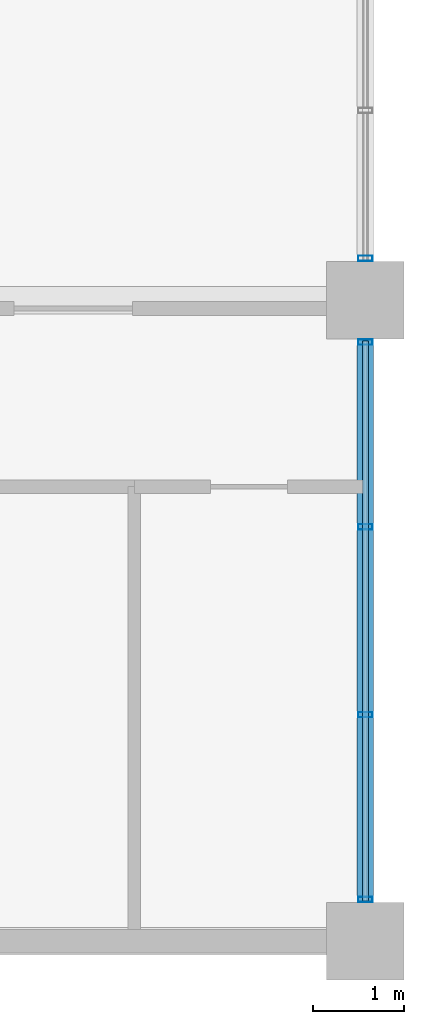
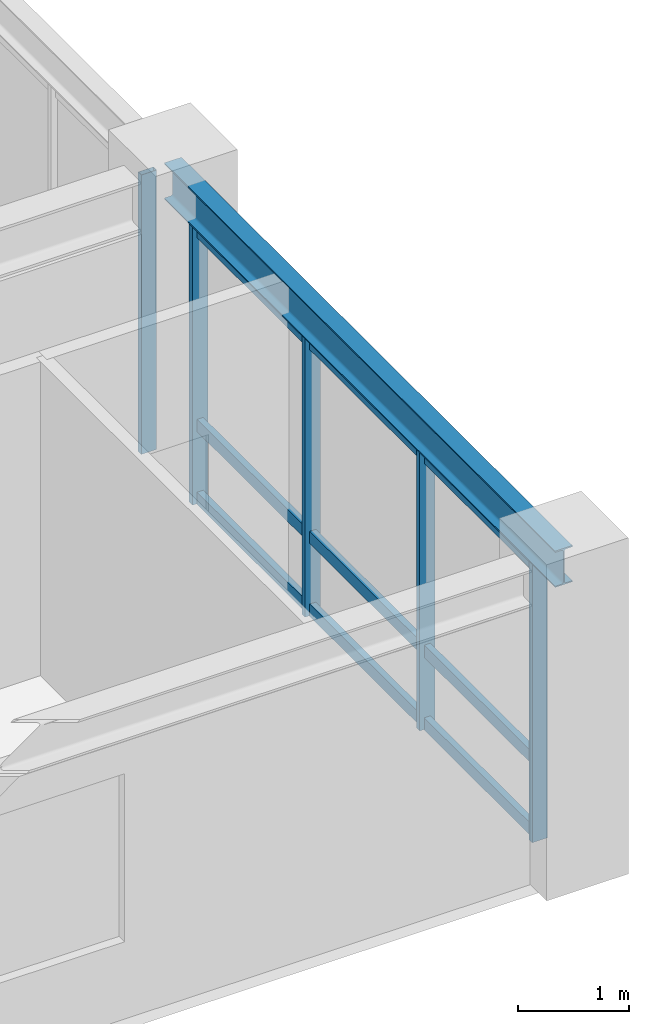
# One storey, part 2 of 10: 8 members, 1 beam, 2 elements without a shape of their own.
"""IFC4 building model written with IfcOpenShell, lengths in metres."""

from ifc_helpers import new_model, si_unit, direction, frame, origin, origin_2d, place, context, subcontext, project, spatial, hollow_rectangle, i_section, extrude, source, transform, mapped, material, layer, layer_set, material_profile, profile_set, type_object, element, aggregate, save


model = new_model("IFC4")

# Units and contexts
model_context = context("Model", 3, precision=1e-05, world=origin(), true_north=direction((0.0, 1.0)))
body_context = subcontext(model_context, "Body", "Model", "MODEL_VIEW")
ifc_project = project(units=[si_unit("LENGTHUNIT", "METRE"), si_unit("AREAUNIT", "SQUARE_METRE"), si_unit("VOLUMEUNIT", "CUBIC_METRE"), si_unit("PLANEANGLEUNIT", "RADIAN"), si_unit("MASSUNIT", "GRAM", prefix="KILO")], contexts=[model_context])

# Site, building, storey
site_placement = place(None, origin())
site = spatial("IfcSite", under=ifc_project, at=site_placement, CompositionType="ELEMENT")
building_placement = place(site_placement, origin())
building = spatial("IfcBuilding", under=site, at=building_placement, Name="Kaliganga Portal Commons", CompositionType="ELEMENT")
storey_placement = place(building_placement, frame((0.0, 0.0, 283.199951171875)))
storey = spatial("IfcBuildingStorey", under=building, at=storey_placement, Name="L73", CompositionType="ELEMENT", Elevation=283.199951171875)

# Beam
ifc_material_1 = material(Name="Structural steel S355J2", Category="steel")
ifc_material_profile_1 = material_profile(ifc_material_1, i_section(OverallWidth=0.179931640625, OverallDepth=0.39990234375, WebThickness=0.008544921875, FlangeThickness=0.013427734375, FilletRadius=0.02099609375, at=origin_2d()), Name="IPE 400")
ifc_profile_set_1 = profile_set([ifc_material_profile_1], Name="Structural steel S355J2 wide-flange")
beam_type = type_object("IfcBeamType", Name="BM-FLR-400", PredefinedType="BEAM", material=ifc_profile_set_1)
shared_shape_1 = source(origin(), body_context, "Body", "SweptSolid", [
    extrude(i_section(OverallWidth=0.179931640625, OverallDepth=0.39990234375, WebThickness=0.008544921875, FlangeThickness=0.013427734375, FilletRadius=0.02099609375, at=origin_2d()), origin(), (0.0, 0.0, 1.0), 7.0498046875),
])
beam_placement = place(storey_placement, frame((46.800048828125, 21.60009765625, 3.275146484375), z_axis=(0.0, 1.0, 0.0), x_axis=(-1.0, 0.0, 0.0)))
element("IfcBeam", 1, at=beam_placement, inside=storey, type_object=beam_type, Name="BM G L73 AS468", PredefinedType="BEAM", context=body_context, shape_type="MappedRepresentation", body=[
    mapped(shared_shape_1, transform((0.0, 0.0, 0.0), x_axis=(1.0, 0.0, 0.0), y_axis=(0.0, 1.0, 0.0), z_axis=(0.0, 0.0, 1.0), scale=1.0)),
])

# Curtain wall, members
ifc_material_2 = material(Name="Anodized Aluminium and Laminated Low-E Glass", Category="aluminium")
ifc_layer = layer(ifc_material_2, 0.18994140625)
ifc_layer_set = layer_set([ifc_layer], Name="Anodized Aluminium and Laminated Low-E Glass")
curtain_wall_type = type_object("IfcCurtainWallType", Name="CW-SYS-05", PredefinedType="NOTDEFINED", material=ifc_layer_set)
curtain_wall_1_placement = place(storey_placement, origin())
curtain_wall_1 = element("IfcCurtainWall", 2, at=curtain_wall_1_placement, inside=storey, type_object=curtain_wall_type, Name="CW 05 L73 P1E01S1", PredefinedType="NOTDEFINED")
ifc_material_3 = material(Name="Dark Bronze Anodized Aluminium", Category="aluminium")
ifc_material_profile_2 = material_profile(ifc_material_3, hollow_rectangle(XDim=0.06005859375, YDim=0.159912109375, WallThickness=0.00341796875, at=origin_2d()), Name="ALU MULL 60x160x3.5")
ifc_profile_set_2 = profile_set([ifc_material_profile_2], Name="Dark Bronze Anodized Aluminium")
member_type_1 = type_object("IfcMemberType", Name="CW-MUL-160", PredefinedType="MULLION", material=ifc_profile_set_2)
shared_shape_2 = source(origin(), body_context, "Body", "SweptSolid", [
    extrude(hollow_rectangle(XDim=0.06005859375, YDim=0.159912109375, WallThickness=0.00341796875, at=origin_2d()), origin(), (0.0, 0.0, 1.0), 3.074951171875),
])
member_1_placement = place(storey_placement, frame((46.800048828125, 22.06103515625, 0.0), z_axis=(0.0, 0.0, 1.0), x_axis=(0.0, 1.0, 0.0)))
member_1 = element("IfcMember", 3, at=member_1_placement, type_object=member_type_1, Name="CW:05:L73:P1E01S1 Mullion 00", PredefinedType="MULLION", context=body_context, shape_type="MappedRepresentation", body=[
    mapped(shared_shape_2, transform((0.0, 0.0, 0.0), x_axis=(1.0, 0.0, 0.0), y_axis=(0.0, 1.0, 0.0), z_axis=(0.0, 0.0, 1.0), scale=1.0)),
])
member_2_placement = place(storey_placement, frame((46.800048828125, 24.092041015625, 0.0), z_axis=(0.0, 0.0, 1.0), x_axis=(0.0, 1.0, 0.0)))
member_2 = element("IfcMember", 4, at=member_2_placement, type_object=member_type_1, Name="CW:05:L73:P1E01S1 Mullion 01", PredefinedType="MULLION", context=body_context, shape_type="MappedRepresentation", body=[
    mapped(shared_shape_2, transform((0.0, 0.0, 0.0), x_axis=(1.0, 0.0, 0.0), y_axis=(0.0, 1.0, 0.0), z_axis=(0.0, 0.0, 1.0), scale=1.0)),
])
member_3_placement = place(storey_placement, frame((46.800048828125, 26.157958984375, 0.0), z_axis=(0.0, 0.0, 1.0), x_axis=(0.0, 1.0, 0.0)))
member_3 = element("IfcMember", 5, at=member_3_placement, type_object=member_type_1, Name="CW:05:L73:P1E01S1 Mullion 02", PredefinedType="MULLION", context=body_context, shape_type="MappedRepresentation", body=[
    mapped(shared_shape_2, transform((0.0, 0.0, 0.0), x_axis=(1.0, 0.0, 0.0), y_axis=(0.0, 1.0, 0.0), z_axis=(0.0, 0.0, 1.0), scale=1.0)),
])
member_4_placement = place(storey_placement, frame((46.800048828125, 28.18896484375, 0.0), z_axis=(0.0, 0.0, 1.0), x_axis=(0.0, 1.0, 0.0)))
member_4 = element("IfcMember", 6, at=member_4_placement, type_object=member_type_1, Name="CW:05:L73:P1E01S1 Mullion 03", PredefinedType="MULLION", context=body_context, shape_type="MappedRepresentation", body=[
    mapped(shared_shape_2, transform((0.0, 0.0, 0.0), x_axis=(1.0, 0.0, 0.0), y_axis=(0.0, 1.0, 0.0), z_axis=(0.0, 0.0, 1.0), scale=1.0)),
])

# Curtain wall, member
curtain_wall_2_placement = place(storey_placement, origin())
curtain_wall_2 = element("IfcCurtainWall", 7, at=curtain_wall_2_placement, inside=storey, type_object=curtain_wall_type, Name="CW 05 L73 P1E01S2", PredefinedType="NOTDEFINED")
member_5_placement = place(storey_placement, frame((46.800048828125, 29.111083984375, 0.0), z_axis=(0.0, 0.0, 1.0), x_axis=(0.0, 1.0, 0.0)))
member_5 = element("IfcMember", 8, at=member_5_placement, type_object=member_type_1, Name="CW:05:L73:P1E01S2 Mullion 00", PredefinedType="MULLION", context=body_context, shape_type="MappedRepresentation", body=[
    mapped(shared_shape_2, transform((0.0, 0.0, 0.0), x_axis=(1.0, 0.0, 0.0), y_axis=(0.0, 1.0, 0.0), z_axis=(0.0, 0.0, 1.0), scale=1.0)),
])
aggregate(curtain_wall_2, [member_5])

# Member
ifc_material_profile_3 = material_profile(ifc_material_3, hollow_rectangle(XDim=0.06494140625, YDim=0.135009765625, WallThickness=0.00341796875, at=origin_2d()), Name="ALU TRAN 65x135x3.5")
ifc_profile_set_3 = profile_set([ifc_material_profile_3], Name="Dark Bronze Anodized Aluminium")
member_type_2 = type_object("IfcMemberType", Name="CW-TRN-135", PredefinedType="USERDEFINED", material=ifc_profile_set_3)
shared_shape_3 = source(origin(), body_context, "Body", "SweptSolid", [
    extrude(hollow_rectangle(XDim=0.06494140625, YDim=0.135009765625, WallThickness=0.00341796875, at=origin_2d()), origin(), (0.0, 0.0, 1.0), 6.158203125),
])
member_6_placement = place(storey_placement, frame((46.800048828125, 22.0458984375, 0.06005859375), z_axis=(0.0, 1.0, 0.0), x_axis=(-1.0, 0.0, 0.0)))
member_6 = element("IfcMember", 9, at=member_6_placement, type_object=member_type_2, Name="CW:05:L73:P1E01S1 Transom 1", ObjectType="TRANSOM", PredefinedType="USERDEFINED", context=body_context, shape_type="MappedRepresentation", body=[
    mapped(shared_shape_3, transform((0.0, 0.0, 0.0), x_axis=(1.0, 0.0, 0.0), y_axis=(0.0, 1.0, 0.0), z_axis=(0.0, 0.0, 1.0), scale=1.0)),
])

member_7_placement = place(storey_placement, frame((46.800048828125, 22.0458984375, 0.861083984375), z_axis=(0.0, 1.0, 0.0), x_axis=(-1.0, 0.0, 0.0)))
member_7 = element("IfcMember", 10, at=member_7_placement, type_object=member_type_2, Name="CW:05:L73:P1E01S1 Transom 2", ObjectType="TRANSOM", PredefinedType="USERDEFINED", context=body_context, shape_type="MappedRepresentation", body=[
    mapped(shared_shape_3, transform((0.0, 0.0, 0.0), x_axis=(1.0, 0.0, 0.0), y_axis=(0.0, 1.0, 0.0), z_axis=(0.0, 0.0, 1.0), scale=1.0)),
])

member_8_placement = place(storey_placement, frame((46.800048828125, 22.0458984375, 2.9951171875), z_axis=(0.0, 1.0, 0.0), x_axis=(-1.0, 0.0, 0.0)))
member_8 = element("IfcMember", 11, at=member_8_placement, type_object=member_type_2, Name="CW:05:L73:P1E01S1 Transom 3", ObjectType="TRANSOM", PredefinedType="USERDEFINED", context=body_context, shape_type="MappedRepresentation", body=[
    mapped(shared_shape_3, transform((0.0, 0.0, 0.0), x_axis=(1.0, 0.0, 0.0), y_axis=(0.0, 1.0, 0.0), z_axis=(0.0, 0.0, 1.0), scale=1.0)),
])

aggregate(curtain_wall_1, [member_1, member_2, member_3, member_4, member_6, member_7, member_8])

save(model, "model.ifc")
